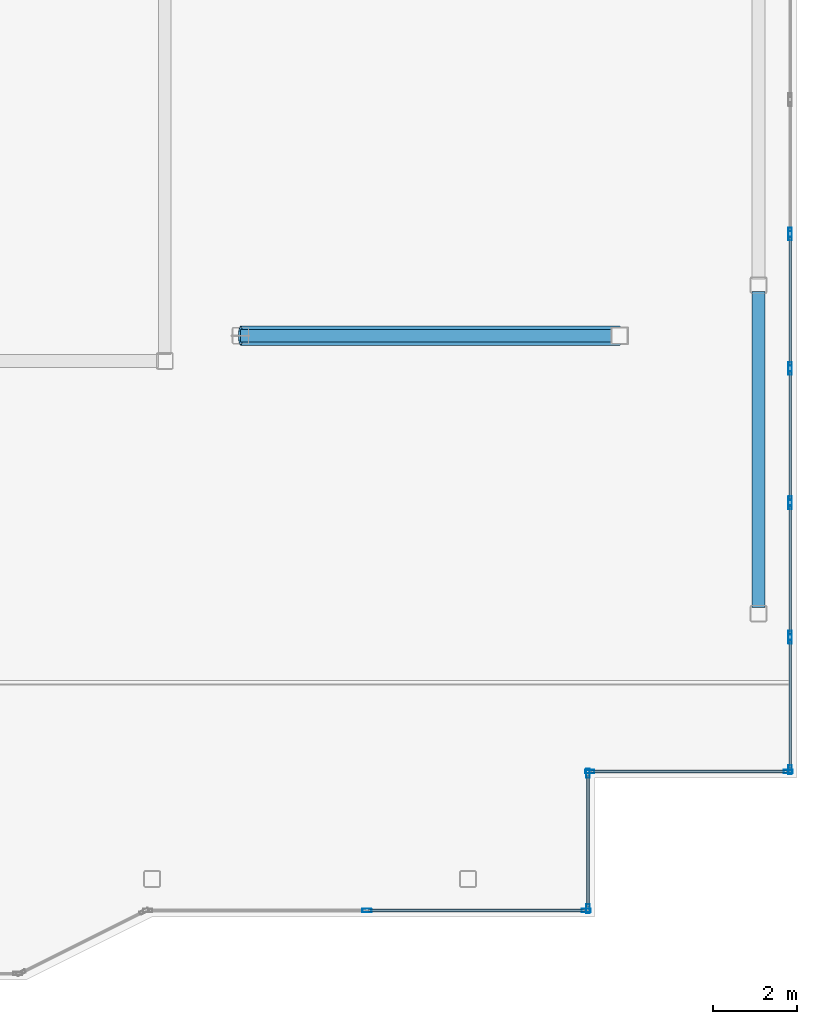
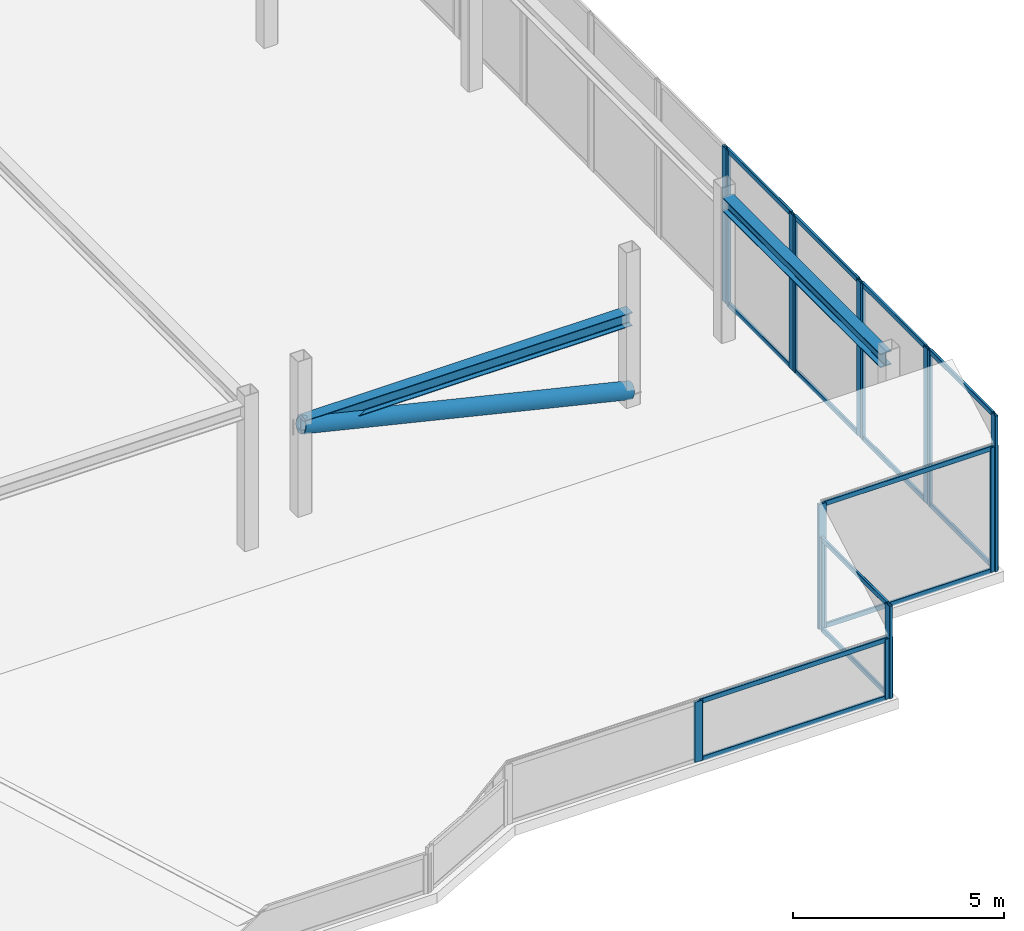
# One storey, part 8 of 16: 30 members, 2 beams, 8 elements without a shape of their own.
"""IFC4 building model written with IfcOpenShell, lengths in metres."""

import ifcopenshell
import ifcopenshell.guid

model = None  # the IFC model being written
_history = None  # IfcOwnerHistory: only IFC2X3 demands one
_inside = {}  # id of a spatial element -> (the spatial element, [elements in it])
_under = {}  # id of a project, library or spatial element -> (it, [spatial elements below it])
_declared = {}  # id of a project -> (the project, [libraries it declares])
_typed = {}  # id of a type object -> (the type object, [elements of that type])
_made_of = {}  # id of a material, layer set ... -> (it, [elements and type objects made of it])


def new_model(schema):
    """Start an empty IFC model of exactly this schema.

    Asked for "IFC4X3", IfcOpenShell would pick the latest addendum, in which some entities
    have other attributes; the version numbers below select the first issue.
    IFC2X3 requires an IfcOwnerHistory on every rooted entity: one is made here for all.
    """
    global model, _history
    if schema == "IFC4X3":
        model = ifcopenshell.file(schema_version=(4, 3, 0, 0))
    else:
        model = ifcopenshell.file(schema=schema)
    _inside.clear()
    _under.clear()
    _declared.clear()
    _typed.clear()
    _made_of.clear()
    _history = None
    if model.schema == "IFC2X3":
        org = make("IfcOrganization", Name="unknown")
        user = make(
            "IfcPersonAndOrganization",
            ThePerson=make("IfcPerson", FamilyName="unknown"),
            TheOrganization=org,
        )
        app = make(
            "IfcApplication",
            ApplicationDeveloper=org,
            Version="unknown",
            ApplicationFullName="unknown",
            ApplicationIdentifier="unknown",
        )
        _history = make(
            "IfcOwnerHistory",
            OwningUser=user,
            OwningApplication=app,
            ChangeAction="ADDED",
            CreationDate=0,
        )
    return model


def make(cls, **values):
    """One entity of the class cls with the attributes given. An attribute that is None is left unset."""
    return model.create_entity(
        cls, **{name: value for name, value in values.items() if value is not None}
    )


def rooted(cls, **values):
    """An entity with a GlobalId (a new one), such as an element, a storey or a relation."""
    return make(cls, GlobalId=ifcopenshell.guid.new(), OwnerHistory=_history, **values)


def si_unit(unit_type, name, prefix=None):
    """IfcSIUnit, for example si_unit("LENGTHUNIT", "METRE", prefix="MILLI")."""
    return make("IfcSIUnit", UnitType=unit_type, Prefix=prefix, Name=name)


def assignment(units):
    """IfcUnitAssignment: the units of a project."""
    return None if units is None else make("IfcUnitAssignment", Units=units)


def point(xyz):
    """IfcCartesianPoint."""
    return None if xyz is None else make("IfcCartesianPoint", Coordinates=xyz)


def direction(xyz):
    """IfcDirection."""
    return None if xyz is None else make("IfcDirection", DirectionRatios=xyz)


def frame(location, z_axis=None, x_axis=None):
    """IfcAxis2Placement3D, a coordinate frame: its origin and axes. An axis left out is left unset."""
    return make(
        "IfcAxis2Placement3D",
        Location=point(location),
        Axis=direction(z_axis),
        RefDirection=direction(x_axis),
    )


def frame_2d(location, x_axis=None):
    """IfcAxis2Placement2D, a coordinate frame in the plane: its origin and x axis."""
    return make(
        "IfcAxis2Placement2D", Location=point(location), RefDirection=direction(x_axis)
    )


def origin():
    """The frame at (0, 0, 0) with its axes left unset."""
    return frame((0.0, 0.0, 0.0))


def origin_2d():
    """The frame at (0, 0) in the plane with its x axis left unset."""
    return frame_2d((0.0, 0.0))


def place(relative_to, where):
    """IfcLocalPlacement: puts the frame where relative to a parent placement (None: the world)."""
    return make(
        "IfcLocalPlacement", PlacementRelTo=relative_to, RelativePlacement=where
    )


def context(
    kind, dimensions, precision=None, world=None, true_north=None, identifier=None
):
    """IfcGeometricRepresentationContext, for example the 3D "Model" context."""
    return make(
        "IfcGeometricRepresentationContext",
        ContextIdentifier=identifier,
        ContextType=kind,
        CoordinateSpaceDimension=dimensions,
        Precision=precision,
        WorldCoordinateSystem=world,
        TrueNorth=true_north,
    )


def subcontext(parent, identifier, kind, view, scale=None):
    """IfcGeometricRepresentationSubContext, for example "Body" below "Model"."""
    return make(
        "IfcGeometricRepresentationSubContext",
        ContextIdentifier=identifier,
        ContextType=kind,
        ParentContext=parent,
        TargetScale=scale,
        TargetView=view,
    )


def project(units=None, contexts=None):
    """IfcProject with its units and contexts."""
    return rooted(
        "IfcProject",
        Name="project",
        RepresentationContexts=contexts,
        UnitsInContext=assignment(units),
    )


def spatial(cls, under=None, at=None, **own):
    """A site, building, storey or space (cls), placed at a placement, below another one or the project."""
    s = rooted(cls, ObjectPlacement=at, **own)
    if under is not None:
        _under.setdefault(under.id(), (under, []))[1].append(s)
    return s


def profile(cls, at=None, kind="AREA", **sizes):
    """A parametric profile (cls). Its sizes go by their IFC names, for example OverallWidth=200.0."""
    return make(cls, ProfileType=kind, Position=at, **sizes)


def hollow_rectangle(**sizes):
    """IfcRectangleHollowProfileDef."""
    return profile("IfcRectangleHollowProfileDef", **sizes)


def hollow_circle(**sizes):
    """IfcCircleHollowProfileDef."""
    return profile("IfcCircleHollowProfileDef", **sizes)


def i_section(**sizes):
    """IfcIShapeProfileDef."""
    return profile("IfcIShapeProfileDef", **sizes)


def extrude(swept, where, along, depth):
    """IfcExtrudedAreaSolid: the profile swept, set in the frame where, extruded along a direction by depth."""
    return make(
        "IfcExtrudedAreaSolid",
        SweptArea=swept,
        Position=where,
        ExtrudedDirection=direction(along),
        Depth=depth,
    )


def shape(context_of_items, identifier, shape_type, items):
    """IfcShapeRepresentation: the items that make up one representation, for example the "Body"."""
    return make(
        "IfcShapeRepresentation",
        ContextOfItems=context_of_items,
        RepresentationIdentifier=identifier,
        RepresentationType=shape_type,
        Items=items,
    )


def material(Name=None, Category=None):
    """IfcMaterial."""
    return make("IfcMaterial", Name=Name, Category=Category)


def layer(
    of_material, thickness, ventilated=None, Name=None, Category=None, Priority=None
):
    """IfcMaterialLayer: one layer of a wall or slab, of a material (None: an air gap)."""
    return make(
        "IfcMaterialLayer",
        Material=of_material,
        LayerThickness=thickness,
        IsVentilated=ventilated,
        Name=Name,
        Category=Category,
        Priority=Priority,
    )


def layer_set(layers, Name=None):
    """IfcMaterialLayerSet."""
    return make("IfcMaterialLayerSet", MaterialLayers=layers, LayerSetName=Name)


def material_profile(
    of_material, cross_section, Name=None, Category=None, Priority=None
):
    """IfcMaterialProfile: a cross section and its material."""
    return make(
        "IfcMaterialProfile",
        Name=Name,
        Material=of_material,
        Profile=cross_section,
        Priority=Priority,
        Category=Category,
    )


def profile_set(profiles, Name=None, composite=None):
    """IfcMaterialProfileSet."""
    return make(
        "IfcMaterialProfileSet",
        Name=Name,
        MaterialProfiles=profiles,
        CompositeProfile=composite,
    )


def made_of(thing, what):
    """Note that an element or type object is made of a material, layer set ...; save() writes the relation."""
    if what is not None:
        _made_of.setdefault(what.id(), (what, []))[1].append(thing)
    return thing


def type_object(cls, material=None, **own):
    """A type object (cls), such as IfcWallType, which elements share."""
    return made_of(rooted(cls, **own), material)


def element(
    cls,
    number,
    at=None,
    inside=None,
    cuts=None,
    type_object=None,
    material=None,
    context=None,
    identifier="Body",
    shape_type=None,
    held_by="IfcProductDefinitionShape",
    body=None,
    shapes=None,
    **own,
):
    """One element of the class cls, such as IfcWall. Its Tag is "e" and its number.

    at: its placement. inside: the storey or other place that contains it. cuts: it is an
    opening in that element (IfcRelVoidsElement). A single representation is given by context,
    identifier, shape_type and body (its items); several are given by shapes. held_by: the class
    of the entity that holds the representations. save() writes the other relations.
    """
    e = rooted(cls, Tag="e%d" % number, ObjectPlacement=at, **own)
    if body is not None:
        shapes = [shape(context, identifier, shape_type, body)]
    if shapes is not None:
        e.Representation = make(held_by, Representations=shapes)
    if inside is not None:
        _inside.setdefault(inside.id(), (inside, []))[1].append(e)
    if cuts is not None:
        rooted(
            "IfcRelVoidsElement", RelatingBuildingElement=cuts, RelatedOpeningElement=e
        )
    if type_object is not None:
        _typed.setdefault(type_object.id(), (type_object, []))[1].append(e)
    return made_of(e, material)


def aggregate(whole, parts):
    """IfcRelAggregates: a whole, such as a stair, and the parts it consists of."""
    return rooted("IfcRelAggregates", RelatingObject=whole, RelatedObjects=parts)


def save(model, path):
    """Write the relations noted so far, then the file.

    IfcRelAggregates (storeys below a building ...), IfcRelContainedInSpatialStructure (elements
    in a storey), IfcRelDefinesByType, IfcRelAssociatesMaterial and IfcRelDeclares: one each for
    every whole, place, type object, material and project.
    """
    for whole, parts in _under.values():
        aggregate(whole, parts)
    for where, things in _inside.values():
        rooted(
            "IfcRelContainedInSpatialStructure",
            RelatedElements=things,
            RelatingStructure=where,
        )
    for kind, things in _typed.values():
        rooted("IfcRelDefinesByType", RelatedObjects=things, RelatingType=kind)
    for what, things in _made_of.values():
        rooted("IfcRelAssociatesMaterial", RelatedObjects=things, RelatingMaterial=what)
    for by, libraries in _declared.values():
        rooted("IfcRelDeclares", RelatingContext=by, RelatedDefinitions=libraries)
    model.write(path)


model = new_model("IFC4")

# Units and contexts
model_context = context("Model", 3, precision=1e-05, world=origin(), true_north=direction((0.0, 1.0)))
body_context = subcontext(model_context, "Body", "Model", "MODEL_VIEW")
ifc_project = project(units=[si_unit("LENGTHUNIT", "METRE"), si_unit("AREAUNIT", "SQUARE_METRE"), si_unit("VOLUMEUNIT", "CUBIC_METRE"), si_unit("PLANEANGLEUNIT", "RADIAN"), si_unit("MASSUNIT", "GRAM", prefix="KILO")], contexts=[model_context])

# Site, building, storey
site_placement = place(None, origin())
site = spatial("IfcSite", under=ifc_project, at=site_placement, CompositionType="ELEMENT")
building_placement = place(site_placement, origin())
building = spatial("IfcBuilding", under=site, at=building_placement, Name="Tarnavaz Court Tower", CompositionType="ELEMENT")
storey_placement = place(building_placement, frame((0.0, 0.0, 290.550048828125)))
storey = spatial("IfcBuildingStorey", under=building, at=storey_placement, Name="C03", CompositionType="ELEMENT", Elevation=290.550048828125)

# Beams
ifc_material_1 = material(Name="Steel S355", Category="steel")
ifc_material_profile_1 = material_profile(ifc_material_1, i_section(OverallWidth=0.300048828125, OverallDepth=0.389892578125, WebThickness=0.010986328125, FlangeThickness=0.01904296875, FilletRadius=0.027099609375, at=origin_2d()), Name="HEA 400")
ifc_profile_set_1 = profile_set([ifc_material_profile_1], Name="Steel S355")
beam_type_1 = type_object("IfcBeamType", Name="BM-CR-IPE300", PredefinedType="USERDEFINED", material=ifc_profile_set_1)
beam_1_placement = place(storey_placement, frame((18.60009765625, -7.199951171875, 2.5), z_axis=(-1.0, 0.0, 0.0), x_axis=(0.0, -1.0, 0.0)))
element("IfcBeam", 1, at=beam_1_placement, inside=storey, type_object=beam_type_1, Name="C03 Crown Frame E Core Tie Beam", ObjectType="CROWN FRAME", PredefinedType="USERDEFINED", context=body_context, shape_type="SweptSolid", body=[
    extrude(i_section(OverallWidth=0.300048828125, OverallDepth=0.389892578125, WebThickness=0.010986328125, FlangeThickness=0.01904296875, FilletRadius=0.027099609375, at=origin_2d()), origin(), (0.0, 0.0, 1.0), 9.0),
])
ifc_material_profile_2 = material_profile(ifc_material_1, i_section(OverallWidth=0.300048828125, OverallDepth=0.39990234375, WebThickness=0.013427734375, FlangeThickness=0.02392578125, FilletRadius=0.027099609375, at=origin_2d()), Name="HEB 400")
ifc_profile_set_2 = profile_set([ifc_material_profile_2], Name="Steel S355")
beam_type_2 = type_object("IfcBeamType", Name="BM-G-HEB400", PredefinedType="USERDEFINED", material=ifc_profile_set_2)
beam_2_placement = place(storey_placement, frame((21.89990234375, -13.64990234375, 4.0), z_axis=(0.0, 1.0, 0.0), x_axis=(-1.0, 0.0, 0.0)))
element("IfcBeam", 2, at=beam_2_placement, inside=storey, type_object=beam_type_2, Name="C03 Beam CRG-PE-1-PE-2", ObjectType="GIRDER", PredefinedType="USERDEFINED", context=body_context, shape_type="SweptSolid", body=[
    extrude(i_section(OverallWidth=0.300048828125, OverallDepth=0.39990234375, WebThickness=0.013427734375, FlangeThickness=0.02392578125, FilletRadius=0.027099609375, at=origin_2d()), origin(), (0.0, 0.0, 1.0), 7.5),
])

# Curtain wall, member
ifc_material_2 = material(Name="Anodised Aluminium 6063-T6 and Solar Low-E Glazing", Category="aluminium")
ifc_layer = layer(ifc_material_2, 0.2099609375)
ifc_layer_set = layer_set([ifc_layer], Name="Anodised Aluminium 6063-T6 and Solar Low-E Glazing")
curtain_wall_type = type_object("IfcCurtainWallType", Name="CW-SYS-06", PredefinedType="NOTDEFINED", material=ifc_layer_set)
curtain_wall_1_placement = place(storey_placement, origin())
curtain_wall_1 = element("IfcCurtainWall", 3, at=curtain_wall_1_placement, inside=storey, type_object=curtain_wall_type, Name="C03 Slanted Crown Terracotta Curtain Wall 30", PredefinedType="NOTDEFINED")
ifc_material_3 = material(Name="Anodised Aluminium 6063-T6", Category="aluminium")
ifc_material_profile_3 = material_profile(ifc_material_3, hollow_rectangle(XDim=0.0849609375, YDim=0.219970703125, WallThickness=0.006103515625, InnerFilletRadius=0.006103515625, OuterFilletRadius=0.011962890625, at=origin_2d()), Name="ALU RHS 220X85X6")
ifc_profile_set_3 = profile_set([ifc_material_profile_3], Name="Anodised Aluminium 6063-T6")
member_type_1 = type_object("IfcMemberType", Name="CW-MUL-220", PredefinedType="MULLION", material=ifc_profile_set_3)
member_1_placement = place(storey_placement, frame((22.64990234375, -4.743896484375, 0.0), z_axis=(0.0, 0.0, 1.0), x_axis=(1.0, 0.0, 0.0)))
member_1 = element("IfcMember", 4, at=member_1_placement, type_object=member_type_1, Name="CW mullion 2", PredefinedType="MULLION", context=body_context, shape_type="SweptSolid", body=[
    extrude(hollow_rectangle(XDim=0.0849609375, YDim=0.219970703125, WallThickness=0.006103515625, InnerFilletRadius=0.006103515625, OuterFilletRadius=0.011962890625, at=origin_2d()), origin(), (0.0, 0.0, 1.0), 4.5),
])
aggregate(curtain_wall_1, [member_1])

# Curtain wall, members
curtain_wall_2_placement = place(storey_placement, origin())
curtain_wall_2 = element("IfcCurtainWall", 5, at=curtain_wall_2_placement, inside=storey, type_object=curtain_wall_type, Name="C03 Slanted Crown Terracotta Curtain Wall 31", PredefinedType="NOTDEFINED")
member_2_placement = place(storey_placement, frame((22.64990234375, -4.828857421875, 0.0), z_axis=(0.0, 0.0, 1.0), x_axis=(1.0, 0.0, 0.0)))
member_2 = element("IfcMember", 6, at=member_2_placement, type_object=member_type_1, Name="CW mullion 1", PredefinedType="MULLION", context=body_context, shape_type="SweptSolid", body=[
    extrude(hollow_rectangle(XDim=0.0849609375, YDim=0.219970703125, WallThickness=0.006103515625, InnerFilletRadius=0.006103515625, OuterFilletRadius=0.011962890625, at=origin_2d()), origin(), (0.0, 0.0, 1.0), 4.5),
])
member_3_placement = place(storey_placement, frame((22.64990234375, -7.934814453125, 0.0), z_axis=(0.0, 0.0, 1.0), x_axis=(1.0, 0.0, 0.0)))
member_3 = element("IfcMember", 7, at=member_3_placement, type_object=member_type_1, Name="CW mullion 2", PredefinedType="MULLION", context=body_context, shape_type="SweptSolid", body=[
    extrude(hollow_rectangle(XDim=0.0849609375, YDim=0.219970703125, WallThickness=0.006103515625, InnerFilletRadius=0.006103515625, OuterFilletRadius=0.011962890625, at=origin_2d()), origin(), (0.0, 0.0, 1.0), 4.5),
])

curtain_wall_3_placement = place(storey_placement, origin())
curtain_wall_3 = element("IfcCurtainWall", 8, at=curtain_wall_3_placement, inside=storey, type_object=curtain_wall_type, Name="C03 Slanted Crown Terracotta Curtain Wall 32", PredefinedType="NOTDEFINED")
member_4_placement = place(storey_placement, frame((22.64990234375, -8.019775390625, 0.0), z_axis=(0.0, 0.0, 1.0), x_axis=(1.0, 0.0, 0.0)))
member_4 = element("IfcMember", 9, at=member_4_placement, type_object=member_type_1, Name="CW mullion 1", PredefinedType="MULLION", context=body_context, shape_type="SweptSolid", body=[
    extrude(hollow_rectangle(XDim=0.0849609375, YDim=0.219970703125, WallThickness=0.006103515625, InnerFilletRadius=0.006103515625, OuterFilletRadius=0.011962890625, at=origin_2d()), origin(), (0.0, 0.0, 1.0), 4.5),
])
member_5_placement = place(storey_placement, frame((22.64990234375, -11.125732421875, 0.0), z_axis=(0.0, 0.0, 1.0), x_axis=(1.0, 0.0, 0.0)))
member_5 = element("IfcMember", 10, at=member_5_placement, type_object=member_type_1, Name="CW mullion 2", PredefinedType="MULLION", context=body_context, shape_type="SweptSolid", body=[
    extrude(hollow_rectangle(XDim=0.0849609375, YDim=0.219970703125, WallThickness=0.006103515625, InnerFilletRadius=0.006103515625, OuterFilletRadius=0.011962890625, at=origin_2d()), origin(), (0.0, 0.0, 1.0), 4.5),
])

curtain_wall_4_placement = place(storey_placement, origin())
curtain_wall_4 = element("IfcCurtainWall", 11, at=curtain_wall_4_placement, inside=storey, type_object=curtain_wall_type, Name="C03 Slanted Crown Terracotta Curtain Wall 33", PredefinedType="NOTDEFINED")
member_6_placement = place(storey_placement, frame((22.64990234375, -11.210693359375, 0.0), z_axis=(0.0, 0.0, 1.0), x_axis=(1.0, 0.0, 0.0)))
member_6 = element("IfcMember", 12, at=member_6_placement, type_object=member_type_1, Name="CW mullion 1", PredefinedType="MULLION", context=body_context, shape_type="SweptSolid", body=[
    extrude(hollow_rectangle(XDim=0.0849609375, YDim=0.219970703125, WallThickness=0.006103515625, InnerFilletRadius=0.006103515625, OuterFilletRadius=0.011962890625, at=origin_2d()), origin(), (0.0, 0.0, 1.0), 4.5),
])
member_7_placement = place(storey_placement, frame((22.64990234375, -14.316650390625, 0.0), z_axis=(0.0, 0.0, 1.0), x_axis=(1.0, 0.0, 0.0)))
member_7 = element("IfcMember", 13, at=member_7_placement, type_object=member_type_1, Name="CW mullion 2", PredefinedType="MULLION", context=body_context, shape_type="SweptSolid", body=[
    extrude(hollow_rectangle(XDim=0.0849609375, YDim=0.219970703125, WallThickness=0.006103515625, InnerFilletRadius=0.006103515625, OuterFilletRadius=0.011962890625, at=origin_2d()), origin(), (0.0, 0.0, 1.0), 4.5),
])

curtain_wall_5_placement = place(storey_placement, origin())
curtain_wall_5 = element("IfcCurtainWall", 14, at=curtain_wall_5_placement, inside=storey, type_object=curtain_wall_type, Name="C03 Slanted Crown Terracotta Curtain Wall 34", PredefinedType="NOTDEFINED")
member_8_placement = place(storey_placement, frame((22.64990234375, -14.401611328125, 0.0), z_axis=(0.0, 0.0, 1.0), x_axis=(1.0, 0.0, 0.0)))
member_8 = element("IfcMember", 15, at=member_8_placement, type_object=member_type_1, Name="CW mullion 1", PredefinedType="MULLION", context=body_context, shape_type="SweptSolid", body=[
    extrude(hollow_rectangle(XDim=0.0849609375, YDim=0.219970703125, WallThickness=0.006103515625, InnerFilletRadius=0.006103515625, OuterFilletRadius=0.011962890625, at=origin_2d()), origin(), (0.0, 0.0, 1.0), 4.5),
])
member_9_placement = place(storey_placement, frame((22.64990234375, -17.507568359375, 0.0), z_axis=(0.0, 0.0, 1.0), x_axis=(1.0, 0.0, 0.0)))
member_9 = element("IfcMember", 16, at=member_9_placement, type_object=member_type_1, Name="CW mullion 2", PredefinedType="MULLION", context=body_context, shape_type="SweptSolid", body=[
    extrude(hollow_rectangle(XDim=0.0849609375, YDim=0.219970703125, WallThickness=0.006103515625, InnerFilletRadius=0.006103515625, OuterFilletRadius=0.011962890625, at=origin_2d()), origin(), (0.0, 0.0, 1.0), 4.5),
])

curtain_wall_6_placement = place(storey_placement, origin())
curtain_wall_6 = element("IfcCurtainWall", 17, at=curtain_wall_6_placement, inside=storey, type_object=curtain_wall_type, Name="C03 Slanted Crown Terracotta Curtain Wall 35", PredefinedType="NOTDEFINED")
member_10_placement = place(storey_placement, frame((22.607421875, -17.550048828125, 0.0), z_axis=(0.0, 0.0, 1.0), x_axis=(0.0, -1.0, 0.0)))
member_10 = element("IfcMember", 18, at=member_10_placement, type_object=member_type_1, Name="CW mullion 1", PredefinedType="MULLION", context=body_context, shape_type="SweptSolid", body=[
    extrude(hollow_rectangle(XDim=0.0849609375, YDim=0.219970703125, WallThickness=0.006103515625, InnerFilletRadius=0.006103515625, OuterFilletRadius=0.011962890625, at=origin_2d()), origin(), (0.0, 0.0, 1.0), 3.609375),
])
member_11_placement = place(storey_placement, frame((17.892578125, -17.550048828125, 0.0), z_axis=(0.0, 0.0, 1.0), x_axis=(0.0, -1.0, 0.0)))
member_11 = element("IfcMember", 19, at=member_11_placement, type_object=member_type_1, Name="CW mullion 2", PredefinedType="MULLION", context=body_context, shape_type="SweptSolid", body=[
    extrude(hollow_rectangle(XDim=0.0849609375, YDim=0.219970703125, WallThickness=0.006103515625, InnerFilletRadius=0.006103515625, OuterFilletRadius=0.011962890625, at=origin_2d()), origin(), (0.0, 0.0, 1.0), 3.609375),
])

curtain_wall_7_placement = place(storey_placement, origin())
curtain_wall_7 = element("IfcCurtainWall", 20, at=curtain_wall_7_placement, inside=storey, type_object=curtain_wall_type, Name="C03 Slanted Crown Terracotta Curtain Wall 36", PredefinedType="NOTDEFINED")
member_12_placement = place(storey_placement, frame((17.85009765625, -17.592529296875, 0.0), z_axis=(0.0, 0.0, 1.0), x_axis=(1.0, 0.0, 0.0)))
member_12 = element("IfcMember", 21, at=member_12_placement, type_object=member_type_1, Name="CW mullion 1", PredefinedType="MULLION", context=body_context, shape_type="SweptSolid", body=[
    extrude(hollow_rectangle(XDim=0.0849609375, YDim=0.219970703125, WallThickness=0.006103515625, InnerFilletRadius=0.006103515625, OuterFilletRadius=0.011962890625, at=origin_2d()), origin(), (0.0, 0.0, 1.0), 2.67626953125),
])
member_13_placement = place(storey_placement, frame((17.85009765625, -20.8076171875, 0.0), z_axis=(0.0, 0.0, 1.0), x_axis=(1.0, 0.0, 0.0)))
member_13 = element("IfcMember", 22, at=member_13_placement, type_object=member_type_1, Name="CW mullion 2", PredefinedType="MULLION", context=body_context, shape_type="SweptSolid", body=[
    extrude(hollow_rectangle(XDim=0.0849609375, YDim=0.219970703125, WallThickness=0.006103515625, InnerFilletRadius=0.006103515625, OuterFilletRadius=0.011962890625, at=origin_2d()), origin(), (0.0, 0.0, 1.0), 2.67626953125),
])

curtain_wall_8_placement = place(storey_placement, origin())
curtain_wall_8 = element("IfcCurtainWall", 23, at=curtain_wall_8_placement, inside=storey, type_object=curtain_wall_type, Name="C03 Slanted Crown Terracotta Curtain Wall 37", PredefinedType="NOTDEFINED")
member_14_placement = place(storey_placement, frame((17.8076171875, -20.85009765625, 0.0), z_axis=(0.0, 0.0, 1.0), x_axis=(0.0, -1.0, 0.0)))
member_14 = element("IfcMember", 24, at=member_14_placement, type_object=member_type_1, Name="CW mullion 1", PredefinedType="MULLION", context=body_context, shape_type="SweptSolid", body=[
    extrude(hollow_rectangle(XDim=0.0849609375, YDim=0.219970703125, WallThickness=0.006103515625, InnerFilletRadius=0.006103515625, OuterFilletRadius=0.011962890625, at=origin_2d()), origin(), (0.0, 0.0, 1.0), 1.7431640625),
])
member_15_placement = place(storey_placement, frame((12.60009765625, -20.85009765625, 0.0), z_axis=(0.0, 0.0, 1.0), x_axis=(0.0, -1.0, 0.0)))
member_15 = element("IfcMember", 25, at=member_15_placement, type_object=member_type_1, Name="CW mullion 2", PredefinedType="MULLION", context=body_context, shape_type="SweptSolid", body=[
    extrude(hollow_rectangle(XDim=0.0849609375, YDim=0.219970703125, WallThickness=0.006103515625, InnerFilletRadius=0.006103515625, OuterFilletRadius=0.011962890625, at=origin_2d()), origin(), (0.0, 0.0, 1.0), 1.7431640625),
])

# Member
ifc_material_profile_4 = material_profile(ifc_material_3, hollow_rectangle(XDim=0.06494140625, YDim=0.139892578125, WallThickness=0.00390625, InnerFilletRadius=0.00390625, OuterFilletRadius=0.008056640625, at=origin_2d()), Name="ALU RHS 140X65X4")
ifc_profile_set_4 = profile_set([ifc_material_profile_4], Name="Anodised Aluminium 6063-T6")
member_type_2 = type_object("IfcMemberType", Name="CW-TRN-140", PredefinedType="USERDEFINED", material=ifc_profile_set_4)
member_16_placement = place(storey_placement, frame((22.64990234375, -4.871337890625, 0.032470703125), z_axis=(0.0, -1.0, 0.0), x_axis=(1.0, 0.0, 0.0)))
member_16 = element("IfcMember", 26, at=member_16_placement, type_object=member_type_2, Name="CW transom 1.1", ObjectType="TRANSOM", PredefinedType="USERDEFINED", context=body_context, shape_type="SweptSolid", body=[
    extrude(hollow_rectangle(XDim=0.06494140625, YDim=0.139892578125, WallThickness=0.00390625, InnerFilletRadius=0.00390625, OuterFilletRadius=0.008056640625, at=origin_2d()), origin(), (0.0, 0.0, 1.0), 3.02099609375),
])

member_17_placement = place(storey_placement, frame((22.64990234375, -4.871337890625, 4.467529296875), z_axis=(0.0, -1.0, 0.0), x_axis=(1.0, 0.0, 0.0)))
member_17 = element("IfcMember", 27, at=member_17_placement, type_object=member_type_2, Name="CW transom 1.2", ObjectType="TRANSOM", PredefinedType="USERDEFINED", context=body_context, shape_type="SweptSolid", body=[
    extrude(hollow_rectangle(XDim=0.06494140625, YDim=0.139892578125, WallThickness=0.00390625, InnerFilletRadius=0.00390625, OuterFilletRadius=0.008056640625, at=origin_2d()), origin(), (0.0, 0.0, 1.0), 3.02099609375),
])

aggregate(curtain_wall_2, [member_2, member_3, member_16, member_17])

member_18_placement = place(storey_placement, frame((22.64990234375, -8.062255859375, 0.032470703125), z_axis=(0.0, -1.0, 0.0), x_axis=(1.0, 0.0, 0.0)))
member_18 = element("IfcMember", 28, at=member_18_placement, type_object=member_type_2, Name="CW transom 1.1", ObjectType="TRANSOM", PredefinedType="USERDEFINED", context=body_context, shape_type="SweptSolid", body=[
    extrude(hollow_rectangle(XDim=0.06494140625, YDim=0.139892578125, WallThickness=0.00390625, InnerFilletRadius=0.00390625, OuterFilletRadius=0.008056640625, at=origin_2d()), origin(), (0.0, 0.0, 1.0), 3.02099609375),
])

member_19_placement = place(storey_placement, frame((22.64990234375, -8.062255859375, 4.467529296875), z_axis=(0.0, -1.0, 0.0), x_axis=(1.0, 0.0, 0.0)))
member_19 = element("IfcMember", 29, at=member_19_placement, type_object=member_type_2, Name="CW transom 1.2", ObjectType="TRANSOM", PredefinedType="USERDEFINED", context=body_context, shape_type="SweptSolid", body=[
    extrude(hollow_rectangle(XDim=0.06494140625, YDim=0.139892578125, WallThickness=0.00390625, InnerFilletRadius=0.00390625, OuterFilletRadius=0.008056640625, at=origin_2d()), origin(), (0.0, 0.0, 1.0), 3.02099609375),
])

aggregate(curtain_wall_3, [member_4, member_5, member_18, member_19])

member_20_placement = place(storey_placement, frame((22.64990234375, -11.253173828125, 0.032470703125), z_axis=(0.0, -1.0, 0.0), x_axis=(1.0, 0.0, 0.0)))
member_20 = element("IfcMember", 30, at=member_20_placement, type_object=member_type_2, Name="CW transom 1.1", ObjectType="TRANSOM", PredefinedType="USERDEFINED", context=body_context, shape_type="SweptSolid", body=[
    extrude(hollow_rectangle(XDim=0.06494140625, YDim=0.139892578125, WallThickness=0.00390625, InnerFilletRadius=0.00390625, OuterFilletRadius=0.008056640625, at=origin_2d()), origin(), (0.0, 0.0, 1.0), 3.02099609375),
])

member_21_placement = place(storey_placement, frame((22.64990234375, -11.253173828125, 4.467529296875), z_axis=(0.0, -1.0, 0.0), x_axis=(1.0, 0.0, 0.0)))
member_21 = element("IfcMember", 31, at=member_21_placement, type_object=member_type_2, Name="CW transom 1.2", ObjectType="TRANSOM", PredefinedType="USERDEFINED", context=body_context, shape_type="SweptSolid", body=[
    extrude(hollow_rectangle(XDim=0.06494140625, YDim=0.139892578125, WallThickness=0.00390625, InnerFilletRadius=0.00390625, OuterFilletRadius=0.008056640625, at=origin_2d()), origin(), (0.0, 0.0, 1.0), 3.02099609375),
])

aggregate(curtain_wall_4, [member_6, member_7, member_20, member_21])

member_22_placement = place(storey_placement, frame((22.64990234375, -14.444091796875, 0.032470703125), z_axis=(0.0, -1.0, 0.0), x_axis=(1.0, 0.0, 0.0)))
member_22 = element("IfcMember", 32, at=member_22_placement, type_object=member_type_2, Name="CW transom 1.1", ObjectType="TRANSOM", PredefinedType="USERDEFINED", context=body_context, shape_type="SweptSolid", body=[
    extrude(hollow_rectangle(XDim=0.06494140625, YDim=0.139892578125, WallThickness=0.00390625, InnerFilletRadius=0.00390625, OuterFilletRadius=0.008056640625, at=origin_2d()), origin(), (0.0, 0.0, 1.0), 3.02099609375),
])

member_23_placement = place(storey_placement, frame((22.64990234375, -14.444091796875, 4.467529296875), z_axis=(0.0, -1.0, 0.0), x_axis=(1.0, 0.0, 0.0)))
member_23 = element("IfcMember", 33, at=member_23_placement, type_object=member_type_2, Name="CW transom 1.2", ObjectType="TRANSOM", PredefinedType="USERDEFINED", context=body_context, shape_type="SweptSolid", body=[
    extrude(hollow_rectangle(XDim=0.06494140625, YDim=0.139892578125, WallThickness=0.00390625, InnerFilletRadius=0.00390625, OuterFilletRadius=0.008056640625, at=origin_2d()), origin(), (0.0, 0.0, 1.0), 3.02099609375),
])

aggregate(curtain_wall_5, [member_8, member_9, member_22, member_23])

member_24_placement = place(storey_placement, frame((22.56494140625, -17.550048828125, 0.032470703125), z_axis=(-1.0, 0.0, 0.0), x_axis=(0.0, -1.0, 0.0)))
member_24 = element("IfcMember", 34, at=member_24_placement, type_object=member_type_2, Name="CW transom 1.1", ObjectType="TRANSOM", PredefinedType="USERDEFINED", context=body_context, shape_type="SweptSolid", body=[
    extrude(hollow_rectangle(XDim=0.06494140625, YDim=0.139892578125, WallThickness=0.00390625, InnerFilletRadius=0.00390625, OuterFilletRadius=0.008056640625, at=origin_2d()), origin(), (0.0, 0.0, 1.0), 4.6298828125),
])

member_25_placement = place(storey_placement, frame((22.56494140625, -17.550048828125, 3.576904296875), z_axis=(-1.0, 0.0, 0.0), x_axis=(0.0, -1.0, 0.0)))
member_25 = element("IfcMember", 35, at=member_25_placement, type_object=member_type_2, Name="CW transom 1.2", ObjectType="TRANSOM", PredefinedType="USERDEFINED", context=body_context, shape_type="SweptSolid", body=[
    extrude(hollow_rectangle(XDim=0.06494140625, YDim=0.139892578125, WallThickness=0.00390625, InnerFilletRadius=0.00390625, OuterFilletRadius=0.008056640625, at=origin_2d()), origin(), (0.0, 0.0, 1.0), 4.6298828125),
])

aggregate(curtain_wall_6, [member_10, member_11, member_24, member_25])

member_26_placement = place(storey_placement, frame((17.85009765625, -17.635009765625, 0.032470703125), z_axis=(0.0, -1.0, 0.0), x_axis=(1.0, 0.0, 0.0)))
member_26 = element("IfcMember", 36, at=member_26_placement, type_object=member_type_2, Name="CW transom 1.1", ObjectType="TRANSOM", PredefinedType="USERDEFINED", context=body_context, shape_type="SweptSolid", body=[
    extrude(hollow_rectangle(XDim=0.06494140625, YDim=0.139892578125, WallThickness=0.00390625, InnerFilletRadius=0.00390625, OuterFilletRadius=0.008056640625, at=origin_2d()), origin(), (0.0, 0.0, 1.0), 3.1298828125),
])

member_27_placement = place(storey_placement, frame((17.85009765625, -17.635009765625, 2.643798828125), z_axis=(0.0, -1.0, 0.0), x_axis=(1.0, 0.0, 0.0)))
member_27 = element("IfcMember", 37, at=member_27_placement, type_object=member_type_2, Name="CW transom 1.2", ObjectType="TRANSOM", PredefinedType="USERDEFINED", context=body_context, shape_type="SweptSolid", body=[
    extrude(hollow_rectangle(XDim=0.06494140625, YDim=0.139892578125, WallThickness=0.00390625, InnerFilletRadius=0.00390625, OuterFilletRadius=0.008056640625, at=origin_2d()), origin(), (0.0, 0.0, 1.0), 3.1298828125),
])

aggregate(curtain_wall_7, [member_12, member_13, member_26, member_27])

member_28_placement = place(storey_placement, frame((17.764892578125, -20.85009765625, 0.032470703125), z_axis=(-1.0, 0.0, 0.0), x_axis=(0.0, -1.0, 0.0)))
member_28 = element("IfcMember", 38, at=member_28_placement, type_object=member_type_2, Name="CW transom 1.1", ObjectType="TRANSOM", PredefinedType="USERDEFINED", context=body_context, shape_type="SweptSolid", body=[
    extrude(hollow_rectangle(XDim=0.06494140625, YDim=0.139892578125, WallThickness=0.00390625, InnerFilletRadius=0.00390625, OuterFilletRadius=0.008056640625, at=origin_2d()), origin(), (0.0, 0.0, 1.0), 5.122314453125),
])

member_29_placement = place(storey_placement, frame((17.764892578125, -20.85009765625, 1.710693359375), z_axis=(-1.0, 0.0, 0.0), x_axis=(0.0, -1.0, 0.0)))
member_29 = element("IfcMember", 39, at=member_29_placement, type_object=member_type_2, Name="CW transom 1.2", ObjectType="TRANSOM", PredefinedType="USERDEFINED", context=body_context, shape_type="SweptSolid", body=[
    extrude(hollow_rectangle(XDim=0.06494140625, YDim=0.139892578125, WallThickness=0.00390625, InnerFilletRadius=0.00390625, OuterFilletRadius=0.008056640625, at=origin_2d()), origin(), (0.0, 0.0, 1.0), 5.122314453125),
])

aggregate(curtain_wall_8, [member_14, member_15, member_28, member_29])

ifc_material_profile_5 = material_profile(ifc_material_1, hollow_circle(Radius=0.228515625, WallThickness=0.02001953125, at=origin_2d()), Name="CHS 457X20")
ifc_profile_set_5 = profile_set([ifc_material_profile_5], Name="Steel S355")
member_type_3 = type_object("IfcMemberType", Name="MB-CR-CHS273", PredefinedType="USERDEFINED", material=ifc_profile_set_5)
member_30_placement = place(storey_placement, frame((18.60009765625, -7.199951171875, 0.349853515625), z_axis=(-0.972628429945, 0.0, 0.232365955472), x_axis=(0.0, -1.0, 0.0)))
element("IfcMember", 40, at=member_30_placement, inside=storey, type_object=member_type_3, Name="C03 Crown Frame E Wind Brace", ObjectType="CROWN FRAME", PredefinedType="USERDEFINED", context=body_context, shape_type="SweptSolid", body=[
    extrude(hollow_circle(Radius=0.228515625, WallThickness=0.02001953125, at=origin_2d()), origin(), (0.0, 0.0, 1.0), 9.253173828125),
])

save(model, "model.ifc")
